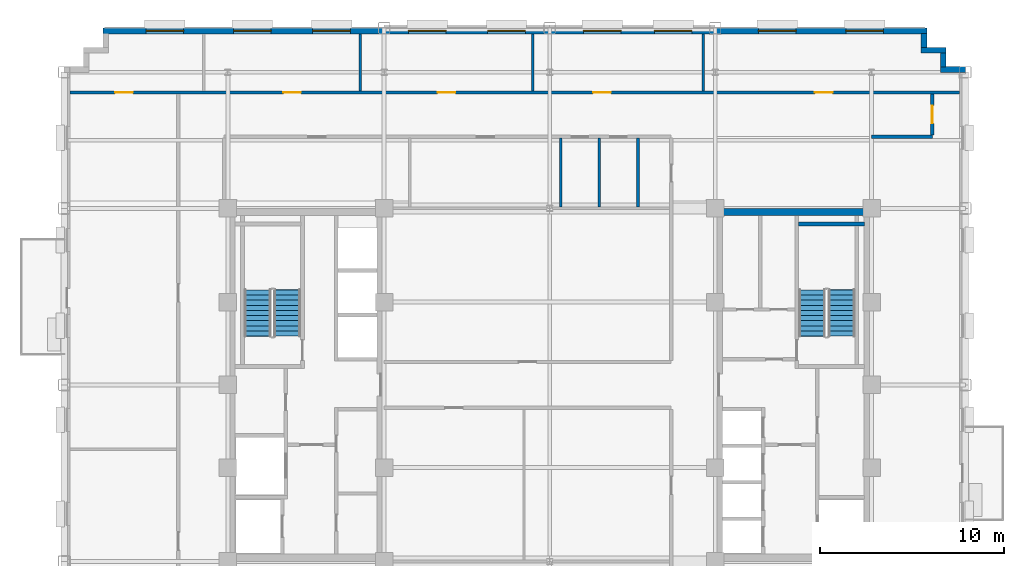
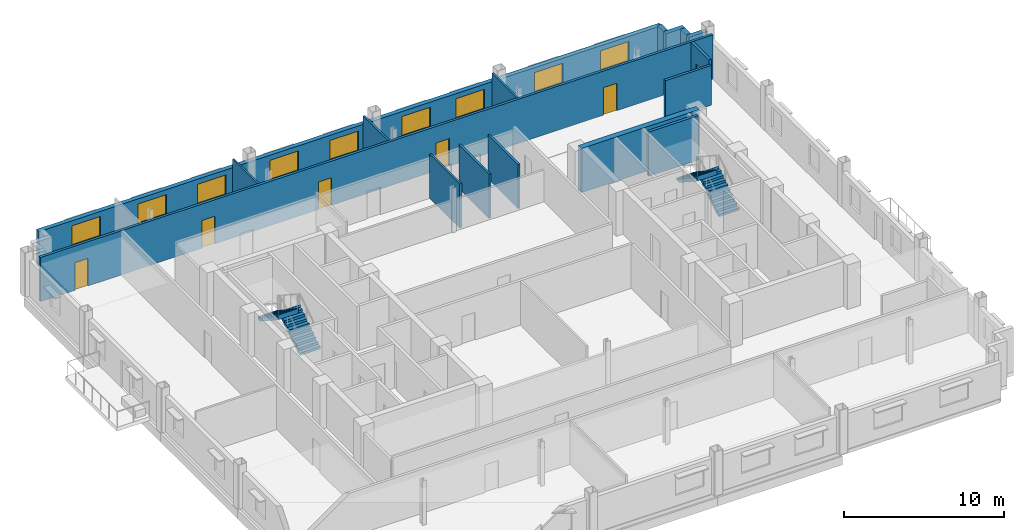
# One storey, part 10 of 14: 16 walls, 9 windows, 6 doors, 4 stair flights, 15 openings, 2 elements without a shape of their own.
"""IFC4 building model written with IfcOpenShell, lengths in metres."""

from ifc_helpers import new_model, si_unit, direction, frame, frame_2d, origin, place, context, subcontext, project, spatial, polyline, rectangle, outline, extrude, source, transform, mapped, material, layer, layer_set, type_object, type_shapes, element, fill, aggregate, save


model = new_model("IFC4")

# Units and contexts
model_context = context("Model", 3, precision=1e-05, world=origin(), true_north=direction((0.0, 1.0)))
body_context = subcontext(model_context, "Body", "Model", "MODEL_VIEW")
ifc_project = project(units=[si_unit("LENGTHUNIT", "METRE"), si_unit("AREAUNIT", "SQUARE_METRE"), si_unit("VOLUMEUNIT", "CUBIC_METRE"), si_unit("PLANEANGLEUNIT", "RADIAN"), si_unit("MASSUNIT", "GRAM", prefix="KILO")], contexts=[model_context])

# Site, building, storey
site_placement = place(None, origin())
site = spatial("IfcSite", under=ifc_project, at=site_placement, CompositionType="ELEMENT")
building_placement = place(site_placement, origin())
building = spatial("IfcBuilding", under=site, at=building_placement, Name="Nuvemarco Arch Tower", CompositionType="ELEMENT")
storey_placement = place(building_placement, frame((0.0, 0.0, 174.949951171875)))
storey = spatial("IfcBuildingStorey", under=building, at=storey_placement, Name="L46", CompositionType="ELEMENT", Elevation=174.949951171875)

# Walls
ifc_material_1 = material(Name="Precast concrete C45/55", Category="concrete")
ifc_layer_1 = layer(ifc_material_1, 0.31005859375, Name="EW-UPP-310")
ifc_layer_set_1 = layer_set([ifc_layer_1], Name="Precast concrete C45/55")
wall_type_1 = type_object("IfcWallType", Name="EW-UPP-310", PredefinedType="STANDARD", material=ifc_layer_set_1)
wall_1_placement = place(storey_placement, frame((21.239990234375, 17.14501953125, 0.0), z_axis=(0.0, 0.0, 1.0), x_axis=(1.0, 0.0, 0.0)))
element("IfcWall", 1, at=wall_1_placement, inside=storey, type_object=wall_type_1, Name="L46 exterior precast facade wall 7", PredefinedType="STANDARD", context=body_context, shape_type="SweptSolid", body=[
    extrude(rectangle(XDim=1.360107421875, YDim=0.31005859375, at=frame_2d((0.68017578125, 0.0))), origin(), (0.0, 0.0, 1.0), 2.816162109375),
])
wall_2_placement = place(storey_placement, frame((21.39501953125, 17.2958984375, 0.0), z_axis=(0.0, 0.0, 1.0), x_axis=(0.0, 1.0, 0.0)))
element("IfcWall", 2, at=wall_2_placement, inside=storey, type_object=wall_type_1, Name="L46 exterior precast facade wall 8", PredefinedType="STANDARD", context=body_context, shape_type="SweptSolid", body=[
    extrude(rectangle(XDim=0.748046875, YDim=0.31005859375, at=frame_2d((0.3740234375, 0.0))), origin(), (0.0, 0.0, 1.0), 2.816162109375),
])
wall_3_placement = place(storey_placement, frame((20.18994140625, 18.195068359375, 0.0), z_axis=(0.0, 0.0, 1.0), x_axis=(1.0, 0.0, 0.0)))
element("IfcWall", 3, at=wall_3_placement, inside=storey, type_object=wall_type_1, Name="L46 exterior precast facade wall 9", PredefinedType="STANDARD", context=body_context, shape_type="SweptSolid", body=[
    extrude(rectangle(XDim=1.360107421875, YDim=0.31005859375, at=frame_2d((0.68017578125, 0.0))), origin(), (0.0, 0.0, 1.0), 2.816162109375),
])
wall_4_placement = place(storey_placement, frame((20.344970703125, 18.345947265625, 0.0), z_axis=(0.0, 0.0, 1.0), x_axis=(0.0, 1.0, 0.0)))
element("IfcWall", 4, at=wall_4_placement, inside=storey, type_object=wall_type_1, Name="L46 exterior precast facade wall 10", PredefinedType="STANDARD", context=body_context, shape_type="SweptSolid", body=[
    extrude(rectangle(XDim=0.748046875, YDim=0.31005859375, at=frame_2d((0.3740234375, 0.0))), origin(), (0.0, 0.0, 1.0), 2.816162109375),
])

# Wall, openings, windows
wall_5_placement = place(storey_placement, frame((-24.300048828125, 19.2451171875, 0.0), z_axis=(0.0, 0.0, 1.0), x_axis=(1.0, 0.0, 0.0)))
wall_5 = element("IfcWall", 5, at=wall_5_placement, inside=storey, type_object=wall_type_1, Name="L46 exterior precast facade wall 11", PredefinedType="STANDARD", context=body_context, shape_type="SweptSolid", body=[
    extrude(rectangle(XDim=44.800048828125, YDim=0.31005859375, at=frame_2d((22.39990234375, 0.0))), origin(), (0.0, 0.0, 1.0), 2.705078125),
])
opening_1_placement = place(wall_5_placement, frame((2.352783203125, 0.0, 0.800048828125)))
opening_1 = element("IfcOpeningElement", 6, at=opening_1_placement, cuts=wall_5, Name="Opening WN-12", PredefinedType="OPENING", context=body_context, shape_type="SweptSolid", body=[
    extrude(rectangle(XDim=2.050048828125, YDim=1.52001953125, at=frame_2d((1.02490234375, 0.760009765625))), frame((0.0, 0.1650390625, 0.0), z_axis=(0.0, -1.0, 0.0), x_axis=(1.0, 0.0, 0.0)), (0.0, 0.0, 1.0), 0.330078125),
])
opening_2_placement = place(wall_5_placement, frame((7.1083984375, 0.0, 0.800048828125)))
opening_2 = element("IfcOpeningElement", 7, at=opening_2_placement, cuts=wall_5, Name="Opening WN-12", PredefinedType="OPENING", context=body_context, shape_type="SweptSolid", body=[
    extrude(rectangle(XDim=2.050048828125, YDim=1.52001953125, at=frame_2d((1.02490234375, 0.760009765625))), frame((0.0, 0.1650390625, 0.0), z_axis=(0.0, -1.0, 0.0), x_axis=(1.0, 0.0, 0.0)), (0.0, 0.0, 1.0), 0.330078125),
])
opening_3_placement = place(wall_5_placement, frame((11.413818359375, 0.0, 0.800048828125)))
opening_3 = element("IfcOpeningElement", 8, at=opening_3_placement, cuts=wall_5, Name="Opening WN-12", PredefinedType="OPENING", context=body_context, shape_type="SweptSolid", body=[
    extrude(rectangle(XDim=2.050048828125, YDim=1.52001953125, at=frame_2d((1.02490234375, 0.760009765625))), frame((0.0, 0.1650390625, 0.0), z_axis=(0.0, -1.0, 0.0), x_axis=(1.0, 0.0, 0.0)), (0.0, 0.0, 1.0), 0.330078125),
])
opening_4_placement = place(wall_5_placement, frame((16.619384765625, 0.0, 0.800048828125)))
opening_4 = element("IfcOpeningElement", 9, at=opening_4_placement, cuts=wall_5, Name="Opening WN-12", PredefinedType="OPENING", context=body_context, shape_type="SweptSolid", body=[
    extrude(rectangle(XDim=2.050048828125, YDim=1.52001953125, at=frame_2d((1.02490234375, 0.760009765625))), frame((0.0, 0.1650390625, 0.0), z_axis=(0.0, -1.0, 0.0), x_axis=(1.0, 0.0, 0.0)), (0.0, 0.0, 1.0), 0.330078125),
])
opening_5_placement = place(wall_5_placement, frame((20.925048828125, 0.0, 0.800048828125)))
opening_5 = element("IfcOpeningElement", 10, at=opening_5_placement, cuts=wall_5, Name="Opening WN-12", PredefinedType="OPENING", context=body_context, shape_type="SweptSolid", body=[
    extrude(rectangle(XDim=2.050048828125, YDim=1.52001953125, at=frame_2d((1.02490234375, 0.760009765625))), frame((0.0, 0.1650390625, 0.0), z_axis=(0.0, -1.0, 0.0), x_axis=(1.0, 0.0, 0.0)), (0.0, 0.0, 1.0), 0.330078125),
])
opening_6_placement = place(wall_5_placement, frame((26.130615234375, 0.0, 0.800048828125)))
opening_6 = element("IfcOpeningElement", 11, at=opening_6_placement, cuts=wall_5, Name="Opening WN-12", PredefinedType="OPENING", context=body_context, shape_type="SweptSolid", body=[
    extrude(rectangle(XDim=2.050048828125, YDim=1.52001953125, at=frame_2d((1.02490234375, 0.760009765625))), frame((0.0, 0.1650390625, 0.0), z_axis=(0.0, -1.0, 0.0), x_axis=(1.0, 0.0, 0.0)), (0.0, 0.0, 1.0), 0.330078125),
])
opening_7_placement = place(wall_5_placement, frame((29.986083984375, 0.0, 0.800048828125)))
opening_7 = element("IfcOpeningElement", 12, at=opening_7_placement, cuts=wall_5, Name="Opening WN-12", PredefinedType="OPENING", context=body_context, shape_type="SweptSolid", body=[
    extrude(rectangle(XDim=2.050048828125, YDim=1.52001953125, at=frame_2d((1.02490234375, 0.760009765625))), frame((0.0, 0.1650390625, 0.0), z_axis=(0.0, -1.0, 0.0), x_axis=(1.0, 0.0, 0.0)), (0.0, 0.0, 1.0), 0.330078125),
])
opening_8_placement = place(wall_5_placement, frame((35.6416015625, 0.0, 0.800048828125)))
opening_8 = element("IfcOpeningElement", 13, at=opening_8_placement, cuts=wall_5, Name="Opening WN-12", PredefinedType="OPENING", context=body_context, shape_type="SweptSolid", body=[
    extrude(rectangle(XDim=2.050048828125, YDim=1.52001953125, at=frame_2d((1.02490234375, 0.760009765625))), frame((0.0, 0.1650390625, 0.0), z_axis=(0.0, -1.0, 0.0), x_axis=(1.0, 0.0, 0.0)), (0.0, 0.0, 1.0), 0.330078125),
])
opening_9_placement = place(wall_5_placement, frame((40.397216796875, 0.0, 0.800048828125)))
opening_9 = element("IfcOpeningElement", 14, at=opening_9_placement, cuts=wall_5, Name="Opening WN-12", PredefinedType="OPENING", context=body_context, shape_type="SweptSolid", body=[
    extrude(rectangle(XDim=2.050048828125, YDim=1.52001953125, at=frame_2d((1.02490234375, 0.760009765625))), frame((0.0, 0.1650390625, 0.0), z_axis=(0.0, -1.0, 0.0), x_axis=(1.0, 0.0, 0.0)), (0.0, 0.0, 1.0), 0.330078125),
])
ifc_material_2 = material(Name="Insulated solar-control glass", Category="glass")
window_type = type_object("IfcWindowType", Name="WN-SET-2050x1520", PartitioningType="DOUBLE_PANEL_VERTICAL", PredefinedType="WINDOW", material=ifc_material_2)
shared_shape_1 = source(origin(), body_context, "Body", "SweptSolid", [
    extrude(rectangle(XDim=2.050048828125, YDim=1.52001953125, at=frame_2d((1.02490234375, 0.760009765625))), frame((0.0, 0.030029296875, 0.0), z_axis=(0.0, -1.0, 0.0), x_axis=(1.0, 0.0, 0.0)), (0.0, 0.0, 1.0), 0.06005859375),
])
type_shapes(window_type, [shared_shape_1])
window_1_placement = place(opening_1_placement, origin())
window_1 = element("IfcWindow", 15, at=window_1_placement, inside=storey, type_object=window_type, Name="L46 punched facade window 1", OverallHeight=1.52001953125, OverallWidth=2.050048828125, PartitioningType="SINGLE_PANEL", PredefinedType="WINDOW", context=body_context, shape_type="MappedRepresentation", body=[
    mapped(shared_shape_1, transform((0.0, 0.0, 0.0), scale=1.0)),
])
fill(opening_1, window_1)
window_2_placement = place(opening_2_placement, origin())
window_2 = element("IfcWindow", 16, at=window_2_placement, inside=storey, type_object=window_type, Name="L46 punched facade window 2", OverallHeight=1.52001953125, OverallWidth=2.050048828125, PartitioningType="SINGLE_PANEL", PredefinedType="WINDOW", context=body_context, shape_type="MappedRepresentation", body=[
    mapped(shared_shape_1, transform((0.0, 0.0, 0.0), scale=1.0)),
])
fill(opening_2, window_2)
window_3_placement = place(opening_3_placement, origin())
window_3 = element("IfcWindow", 17, at=window_3_placement, inside=storey, type_object=window_type, Name="L46 punched facade window 3", OverallHeight=1.52001953125, OverallWidth=2.050048828125, PartitioningType="SINGLE_PANEL", PredefinedType="WINDOW", context=body_context, shape_type="MappedRepresentation", body=[
    mapped(shared_shape_1, transform((0.0, 0.0, 0.0), scale=1.0)),
])
fill(opening_3, window_3)
window_4_placement = place(opening_4_placement, origin())
window_4 = element("IfcWindow", 18, at=window_4_placement, inside=storey, type_object=window_type, Name="L46 punched facade window 4", OverallHeight=1.52001953125, OverallWidth=2.050048828125, PartitioningType="SINGLE_PANEL", PredefinedType="WINDOW", context=body_context, shape_type="MappedRepresentation", body=[
    mapped(shared_shape_1, transform((0.0, 0.0, 0.0), scale=1.0)),
])
fill(opening_4, window_4)
window_5_placement = place(opening_5_placement, origin())
window_5 = element("IfcWindow", 19, at=window_5_placement, inside=storey, type_object=window_type, Name="L46 punched facade window 5", OverallHeight=1.52001953125, OverallWidth=2.050048828125, PartitioningType="SINGLE_PANEL", PredefinedType="WINDOW", context=body_context, shape_type="MappedRepresentation", body=[
    mapped(shared_shape_1, transform((0.0, 0.0, 0.0), scale=1.0)),
])
fill(opening_5, window_5)
window_6_placement = place(opening_6_placement, origin())
window_6 = element("IfcWindow", 20, at=window_6_placement, inside=storey, type_object=window_type, Name="L46 punched facade window 6", OverallHeight=1.52001953125, OverallWidth=2.050048828125, PartitioningType="SINGLE_PANEL", PredefinedType="WINDOW", context=body_context, shape_type="MappedRepresentation", body=[
    mapped(shared_shape_1, transform((0.0, 0.0, 0.0), scale=1.0)),
])
fill(opening_6, window_6)
window_7_placement = place(opening_7_placement, origin())
window_7 = element("IfcWindow", 21, at=window_7_placement, inside=storey, type_object=window_type, Name="L46 punched facade window 7", OverallHeight=1.52001953125, OverallWidth=2.050048828125, PartitioningType="SINGLE_PANEL", PredefinedType="WINDOW", context=body_context, shape_type="MappedRepresentation", body=[
    mapped(shared_shape_1, transform((0.0, 0.0, 0.0), scale=1.0)),
])
fill(opening_7, window_7)
window_8_placement = place(opening_8_placement, origin())
window_8 = element("IfcWindow", 22, at=window_8_placement, inside=storey, type_object=window_type, Name="L46 punched facade window 8", OverallHeight=1.52001953125, OverallWidth=2.050048828125, PartitioningType="SINGLE_PANEL", PredefinedType="WINDOW", context=body_context, shape_type="MappedRepresentation", body=[
    mapped(shared_shape_1, transform((0.0, 0.0, 0.0), scale=1.0)),
])
fill(opening_8, window_8)
window_9_placement = place(opening_9_placement, origin())
window_9 = element("IfcWindow", 23, at=window_9_placement, inside=storey, type_object=window_type, Name="L46 punched facade window 9", OverallHeight=1.52001953125, OverallWidth=2.050048828125, PartitioningType="SINGLE_PANEL", PredefinedType="WINDOW", context=body_context, shape_type="MappedRepresentation", body=[
    mapped(shared_shape_1, transform((0.0, 0.0, 0.0), scale=1.0)),
])
fill(opening_9, window_9)

# Walls
ifc_material_3 = material(Name="Concrete C60/75", Category="concrete")
ifc_layer_2 = layer(ifc_material_3, 0.39990234375, Name="WL-CORE-400")
ifc_layer_set_2 = layer_set([ifc_layer_2], Name="Concrete C60/75")
wall_type_2 = type_object("IfcWallType", Name="WL-CORE-400", PredefinedType="SHEAR", material=ifc_layer_set_2)
wall_6_placement = place(storey_placement, frame((9.0, 9.39990234375, 0.0), z_axis=(0.0, 0.0, 1.0), x_axis=(1.0, 0.0, 0.0)))
element("IfcWall", 24, at=wall_6_placement, inside=storey, type_object=wall_type_2, Name="L46 E-core shear wall N", PredefinedType="SHEAR", context=body_context, shape_type="SweptSolid", body=[
    extrude(rectangle(XDim=8.5, YDim=0.39990234375, at=frame_2d((4.25, 0.0))), origin(), (0.0, 0.0, 1.0), 3.3701171875),
])
ifc_material_4 = material(Name="Fire-rated gypsum drywall partition")
ifc_layer_3 = layer(ifc_material_4, 0.179931640625, Name="WL-CORR-180")
ifc_layer_set_3 = layer_set([ifc_layer_3], Name="Fire-rated gypsum drywall partition")
wall_type_3 = type_object("IfcWallType", Name="WL-CORR-180", PredefinedType="PARTITIONING", material=ifc_layer_set_3)
wall_7_placement = place(storey_placement, frame((17.5, 13.5, 0.0), z_axis=(0.0, 0.0, 1.0), x_axis=(1.0, 0.0, 0.0)))
element("IfcWall", 25, at=wall_7_placement, inside=storey, type_object=wall_type_3, Name="L46 interior wall IW-L46-012", PredefinedType="PARTITIONING", context=body_context, shape_type="SweptSolid", body=[
    extrude(rectangle(XDim=3.300048828125, YDim=0.179931640625, at=frame_2d((1.64990234375, 0.0))), origin(), (0.0, 0.0, 1.0), 3.008056640625),
])

# Wall, openings, doors
wall_8_placement = place(storey_placement, frame((-26.090087890625, 15.89990234375, 0.0), z_axis=(0.0, 0.0, 1.0), x_axis=(1.0, 0.0, 0.0)))
wall_8 = element("IfcWall", 26, at=wall_8_placement, inside=storey, type_object=wall_type_3, Name="L46 interior wall IW-L46-013", PredefinedType="PARTITIONING", context=body_context, shape_type="SweptSolid", body=[
    extrude(rectangle(XDim=48.380126953125, YDim=0.179931640625, at=frame_2d((24.18994140625, 0.0))), origin(), (0.0, 0.0, 1.0), 3.360107421875),
])
opening_10_placement = place(wall_8_placement, frame((40.510009765625, 0.0, 0.0)))
opening_10 = element("IfcOpeningElement", 27, at=opening_10_placement, cuts=wall_8, Name="Opening FD-5", PredefinedType="OPENING", context=body_context, shape_type="SweptSolid", body=[
    extrude(rectangle(XDim=0.9599609375, YDim=2.10009765625, at=frame_2d((0.47998046875, 1.050048828125))), frame((0.0, 0.099853515625, 0.0), z_axis=(0.0, -1.0, 0.0), x_axis=(1.0, 0.0, 0.0)), (0.0, 0.0, 1.0), 0.199951171875),
])
opening_11_placement = place(wall_8_placement, frame((19.9951171875, 0.0, 0.0)))
opening_11 = element("IfcOpeningElement", 28, at=opening_11_placement, cuts=wall_8, Name="Opening FD-5", PredefinedType="OPENING", context=body_context, shape_type="SweptSolid", body=[
    extrude(rectangle(XDim=0.9599609375, YDim=2.10009765625, at=frame_2d((0.47998046875, 1.050048828125))), frame((0.0, 0.099853515625, 0.0), z_axis=(0.0, -1.0, 0.0), x_axis=(1.0, 0.0, 0.0)), (0.0, 0.0, 1.0), 0.199951171875),
])
opening_12_placement = place(wall_8_placement, frame((28.449951171875, 0.0, 0.0)))
opening_12 = element("IfcOpeningElement", 29, at=opening_12_placement, cuts=wall_8, Name="Opening FD-5", PredefinedType="OPENING", context=body_context, shape_type="SweptSolid", body=[
    extrude(rectangle(XDim=0.9599609375, YDim=2.10009765625, at=frame_2d((0.47998046875, 1.050048828125))), frame((0.0, 0.099853515625, 0.0), z_axis=(0.0, -1.0, 0.0), x_axis=(1.0, 0.0, 0.0)), (0.0, 0.0, 1.0), 0.199951171875),
])
opening_13_placement = place(wall_8_placement, frame((11.60498046875, 0.0, 0.0)))
opening_13 = element("IfcOpeningElement", 30, at=opening_13_placement, cuts=wall_8, Name="Opening FD-5", PredefinedType="OPENING", context=body_context, shape_type="SweptSolid", body=[
    extrude(rectangle(XDim=0.9599609375, YDim=2.10009765625, at=frame_2d((0.47998046875, 1.050048828125))), frame((0.0, 0.099853515625, 0.0), z_axis=(0.0, -1.0, 0.0), x_axis=(1.0, 0.0, 0.0)), (0.0, 0.0, 1.0), 0.199951171875),
])
opening_14_placement = place(wall_8_placement, frame((2.465087890625, 0.0, 0.0)))
opening_14 = element("IfcOpeningElement", 31, at=opening_14_placement, cuts=wall_8, Name="Opening FD-5", PredefinedType="OPENING", context=body_context, shape_type="SweptSolid", body=[
    extrude(rectangle(XDim=0.9599609375, YDim=2.10009765625, at=frame_2d((0.47998046875, 1.050048828125))), frame((0.0, 0.099853515625, 0.0), z_axis=(0.0, -1.0, 0.0), x_axis=(1.0, 0.0, 0.0)), (0.0, 0.0, 1.0), 0.199951171875),
])
ifc_material_5 = material(Name="Timber fire door", Category="wood")
door_type = type_object("IfcDoorType", Name="DR-CORR-FD", OperationType="NOTDEFINED", PredefinedType="DOOR", material=ifc_material_5)
shared_shape_2 = source(origin(), body_context, "Body", "SweptSolid", [
    extrude(rectangle(XDim=0.9599609375, YDim=2.10009765625, at=frame_2d((0.47998046875, 1.050048828125))), frame((0.0, 0.02490234375, 0.0), z_axis=(0.0, -1.0, 0.0), x_axis=(1.0, 0.0, 0.0)), (0.0, 0.0, 1.0), 0.050048828125),
])
type_shapes(door_type, [shared_shape_2])
door_1_placement = place(opening_10_placement, origin())
door_1 = element("IfcDoor", 32, at=door_1_placement, inside=storey, type_object=door_type, Name="L46 door DR-L46-N_5", OperationType="SINGLE_SWING_LEFT", OverallHeight=2.10009765625, OverallWidth=0.9599609375, PredefinedType="DOOR", context=body_context, shape_type="MappedRepresentation", body=[
    mapped(shared_shape_2, transform((0.0, 0.0, 0.0), scale=1.0)),
])
fill(opening_10, door_1)
door_2_placement = place(opening_11_placement, origin())
door_2 = element("IfcDoor", 33, at=door_2_placement, inside=storey, type_object=door_type, Name="L46 door DR-L46-N_3", OperationType="SINGLE_SWING_RIGHT", OverallHeight=2.10009765625, OverallWidth=0.9599609375, PredefinedType="DOOR", context=body_context, shape_type="MappedRepresentation", body=[
    mapped(shared_shape_2, transform((0.0, 0.0, 0.0), scale=1.0)),
])
fill(opening_11, door_2)
door_3_placement = place(opening_12_placement, origin())
door_3 = element("IfcDoor", 34, at=door_3_placement, inside=storey, type_object=door_type, Name="L46 door DR-L46-N_4", OperationType="SINGLE_SWING_RIGHT", OverallHeight=2.10009765625, OverallWidth=0.9599609375, PredefinedType="DOOR", context=body_context, shape_type="MappedRepresentation", body=[
    mapped(shared_shape_2, transform((0.0, 0.0, 0.0), scale=1.0)),
])
fill(opening_12, door_3)
door_4_placement = place(opening_13_placement, origin())
door_4 = element("IfcDoor", 35, at=door_4_placement, inside=storey, type_object=door_type, Name="L46 door DR-L46-N_2", OperationType="SINGLE_SWING_LEFT", OverallHeight=2.10009765625, OverallWidth=0.9599609375, PredefinedType="DOOR", context=body_context, shape_type="MappedRepresentation", body=[
    mapped(shared_shape_2, transform((0.0, 0.0, 0.0), scale=1.0)),
])
fill(opening_13, door_4)
door_5_placement = place(opening_14_placement, origin())
door_5 = element("IfcDoor", 36, at=door_5_placement, inside=storey, type_object=door_type, Name="L46 door DR-L46-N_1", OperationType="SINGLE_SWING_RIGHT", OverallHeight=2.10009765625, OverallWidth=0.9599609375, PredefinedType="DOOR", context=body_context, shape_type="MappedRepresentation", body=[
    mapped(shared_shape_2, transform((0.0, 0.0, 0.0), scale=1.0)),
])
fill(opening_14, door_5)

# Wall, opening, door
wall_9_placement = place(storey_placement, frame((20.800048828125, 13.5859375, 0.0), z_axis=(0.0, 0.0, 1.0), x_axis=(0.0, 1.0, 0.0)))
wall_9 = element("IfcWall", 37, at=wall_9_placement, inside=storey, type_object=wall_type_3, Name="L46 interior wall IW-L46-031", PredefinedType="PARTITIONING", context=body_context, shape_type="SweptSolid", body=[
    extrude(rectangle(XDim=2.22802734375, YDim=0.179931640625, at=frame_2d((1.114013671875, 0.0))), origin(), (0.0, 0.0, 1.0), 3.360107421875),
])
opening_15_placement = place(wall_9_placement, frame((0.634033203125, 0.0, 0.0)))
opening_15 = element("IfcOpeningElement", 38, at=opening_15_placement, cuts=wall_9, Name="Opening FD-5", PredefinedType="OPENING", context=body_context, shape_type="SweptSolid", body=[
    extrude(rectangle(XDim=0.9599609375, YDim=2.10009765625, at=frame_2d((0.47998046875, 1.050048828125))), frame((0.0, 0.099853515625, 0.0), z_axis=(0.0, -1.0, 0.0), x_axis=(1.0, 0.0, 0.0)), (0.0, 0.0, 1.0), 0.199951171875),
])
door_6_placement = place(opening_15_placement, origin())
door_6 = element("IfcDoor", 39, at=door_6_placement, inside=storey, type_object=door_type, Name="L46 door DR-L46-E_1", OperationType="SINGLE_SWING_LEFT", OverallHeight=2.10009765625, OverallWidth=0.9599609375, PredefinedType="DOOR", context=body_context, shape_type="MappedRepresentation", body=[
    mapped(shared_shape_2, transform((0.0, 0.0, 0.0), scale=1.0)),
])
fill(opening_15, door_6)

# Walls
ifc_material_6 = material(Name="Glazed acoustic office partition")
ifc_layer_4 = layer(ifc_material_6, 0.1298828125, Name="WL-EXEC-130")
ifc_layer_set_4 = layer_set([ifc_layer_4], Name="Glazed acoustic office partition")
wall_type_4 = type_object("IfcWallType", Name="WL-EXEC-130", PredefinedType="PARTITIONING", material=ifc_layer_set_4)
for number, where, z_axis, x_axis, name in (
    (40, (-10.31005859375, 15.986083984375, 0.0), (0.0, 0.0, 1.0), (0.0, 1.0, 0.0), "L46 interior wall IW-L46-018"),
    (41, (-0.919921875, 15.986083984375, 0.0), (0.0, 0.0, 1.0), (0.0, 1.0, 0.0), "L46 interior wall IW-L46-022"),
    (42, (8.35009765625, 15.986083984375, 0.0), (0.0, 0.0, 1.0), (0.0, 1.0, 0.0), "L46 interior wall IW-L46-029"),
):
    element("IfcWall", number, at=place(storey_placement, frame(where, z_axis=z_axis, x_axis=x_axis)), inside=storey, type_object=wall_type_4, Name=name, PredefinedType="PARTITIONING", context=body_context, shape_type="SweptSolid", body=[
        extrude(rectangle(XDim=3.10400390625, YDim=0.1298828125, at=frame_2d((1.552001953125, 0.0))), origin(), (0.0, 0.0, 1.0), 3.360107421875),
    ])
ifc_material_7 = material(Name="Concrete C50/60", Category="concrete")
ifc_layer_5 = layer(ifc_material_7, 0.199951171875, Name="WL-SHAFT-220")
ifc_layer_set_5 = layer_set([ifc_layer_5], Name="Concrete C50/60")
wall_type_5 = type_object("IfcWallType", Name="WL-SHAFT-220", PredefinedType="SHEAR", material=ifc_layer_set_5)
wall_10_placement = place(storey_placement, frame((13.534912109375, 8.75, 0.0), z_axis=(0.0, 0.0, 1.0), x_axis=(1.0, 0.0, 0.0)))
element("IfcWall", 43, at=wall_10_placement, inside=storey, type_object=wall_type_5, Name="L46 structural shaft wall SW-L46-E-ST2N", PredefinedType="SHEAR", context=body_context, shape_type="SweptSolid", body=[
    extrude(rectangle(XDim=3.570068359375, YDim=0.199951171875, at=frame_2d((1.78515625, 0.0))), origin(), (0.0, 0.0, 1.0), 3.3701171875),
])
ifc_material_8 = material(Name="Moisture-resistant gypsum partition")
ifc_layer_6 = layer(ifc_material_8, 0.14990234375, Name="WL-WET-150")
ifc_layer_set_6 = layer_set([ifc_layer_6], Name="Moisture-resistant gypsum partition")
wall_type_6 = type_object("IfcWallType", Name="WL-WET-150", PredefinedType="PARTITIONING", material=ifc_layer_set_6)
for number, where, z_axis, x_axis, name in (
    (44, (0.60009765625, 9.6708984375, 0.0), (0.0, 0.0, 1.0), (0.0, 1.0, 0.0), "L46 interior wall IW-L46-023"),
    (45, (2.699951171875, 9.6708984375, 0.0), (0.0, 0.0, 1.0), (0.0, 1.0, 0.0), "L46 interior wall IW-L46-024"),
    (46, (4.800048828125, 9.6708984375, 0.0), (0.0, 0.0, 1.0), (0.0, 1.0, 0.0), "L46 interior wall IW-L46-025"),
):
    element("IfcWall", number, at=place(storey_placement, frame(where, z_axis=z_axis, x_axis=x_axis)), inside=storey, type_object=wall_type_6, Name=name, PredefinedType="PARTITIONING", context=body_context, shape_type="SweptSolid", body=[
        extrude(rectangle(XDim=3.7431640625, YDim=0.14990234375, at=frame_2d((1.87158203125, 0.0))), origin(), (0.0, 0.0, 1.0), 3.360107421875),
    ])

# Stair, stair flights
stair_type = type_object("IfcStairType", Name="ST-CORE-20R", PredefinedType="HALF_TURN_STAIR", material=ifc_material_1)
stair_1_placement = place(storey_placement, origin())
stair_1 = element("IfcStair", 47, at=stair_1_placement, inside=storey, type_object=stair_type, Name="L46 Protected Exit Stair ST-1", PredefinedType="HALF_TURN_STAIR")
stair_flight_type = type_object("IfcStairFlightType", Name="SF-CORE-20R", PredefinedType="STRAIGHT", material=ifc_material_1)
stair_flight_1_placement = place(storey_placement, frame((-14.264892578125, 2.64990234375, 0.0), z_axis=(0.0, 0.0, 1.0), x_axis=(0.0, 1.0, 0.0)))
stair_flight_1 = element("IfcStairFlight", 48, at=stair_flight_1_placement, type_object=stair_flight_type, Name="ST-20R flight 1", NumberOfRisers=10, NumberOfTreads=9, PredefinedType="STRAIGHT", RiserHeight=0.1825, TreadLength=0.28, context=body_context, shape_type="SweptSolid", body=[
    extrude(outline(polyline([(0.0, 0.0), (0.0, 0.1826171875), (0.280029296875, 0.1826171875), (0.280029296875, 0.364990234375), (0.56005859375, 0.364990234375), (0.56005859375, 0.547607421875), (0.840087890625, 0.547607421875), (0.840087890625, 0.72998046875), (1.1201171875, 0.72998046875), (1.1201171875, 0.91259765625), (1.39990234375, 0.91259765625), (1.39990234375, 1.094970703125), (1.679931640625, 1.094970703125), (1.679931640625, 1.277587890625), (1.9599609375, 1.277587890625), (1.9599609375, 1.4599609375), (2.239990234375, 1.4599609375), (2.239990234375, 1.642578125), (2.52001953125, 1.642578125), (2.52001953125, 1.824951171875), (2.5400390625, 1.824951171875), (2.5400390625, 1.45166015625), (0.312744140625, 0.0), (0.0, 0.0)])), frame((0.0, 0.72509765625, 0.0), z_axis=(0.0, -1.0, 0.0), x_axis=(1.0, 0.0, 0.0)), (0.0, 0.0, 1.0), 1.449951171875),
])
stair_flight_2_placement = place(storey_placement, frame((-15.875, 5.169921875, 1.824951171875), z_axis=(0.0, 0.0, 1.0), x_axis=(0.0, -1.0, 0.0)))
stair_flight_2 = element("IfcStairFlight", 49, at=stair_flight_2_placement, type_object=stair_flight_type, Name="ST-20R flight 2", NumberOfRisers=10, NumberOfTreads=9, PredefinedType="STRAIGHT", RiserHeight=0.1825, TreadLength=0.28, context=body_context, shape_type="SweptSolid", body=[
    extrude(outline(polyline([(0.0, 0.0), (0.0, 0.1826171875), (0.280029296875, 0.1826171875), (0.280029296875, 0.364990234375), (0.56005859375, 0.364990234375), (0.56005859375, 0.547607421875), (0.840087890625, 0.547607421875), (0.840087890625, 0.72998046875), (1.1201171875, 0.72998046875), (1.1201171875, 0.91259765625), (1.39990234375, 0.91259765625), (1.39990234375, 1.094970703125), (1.679931640625, 1.094970703125), (1.679931640625, 1.277587890625), (1.9599609375, 1.277587890625), (1.9599609375, 1.4599609375), (2.239990234375, 1.4599609375), (2.239990234375, 1.642578125), (2.52001953125, 1.642578125), (2.52001953125, 1.824951171875), (2.5400390625, 1.824951171875), (2.5400390625, 1.45166015625), (0.312744140625, 0.0), (0.0, 0.0)])), frame((0.0, 0.72509765625, 0.0), z_axis=(0.0, -1.0, 0.0), x_axis=(1.0, 0.0, 0.0)), (0.0, 0.0, 1.0), 1.449951171875),
])
aggregate(stair_1, [stair_flight_1, stair_flight_2])

stair_2_placement = place(storey_placement, origin())
stair_2 = element("IfcStair", 50, at=stair_2_placement, inside=storey, type_object=stair_type, Name="L46 Protected Exit Stair ST-2", PredefinedType="HALF_TURN_STAIR")
stair_flight_3_placement = place(storey_placement, frame((15.875, 2.64990234375, 0.0), z_axis=(0.0, 0.0, 1.0), x_axis=(0.0, 1.0, 0.0)))
stair_flight_3 = element("IfcStairFlight", 51, at=stair_flight_3_placement, type_object=stair_flight_type, Name="ST-20R flight 1", NumberOfRisers=10, NumberOfTreads=9, PredefinedType="STRAIGHT", RiserHeight=0.1825, TreadLength=0.28, context=body_context, shape_type="SweptSolid", body=[
    extrude(outline(polyline([(0.0, 0.0), (0.0, 0.1826171875), (0.280029296875, 0.1826171875), (0.280029296875, 0.364990234375), (0.56005859375, 0.364990234375), (0.56005859375, 0.547607421875), (0.840087890625, 0.547607421875), (0.840087890625, 0.72998046875), (1.1201171875, 0.72998046875), (1.1201171875, 0.91259765625), (1.39990234375, 0.91259765625), (1.39990234375, 1.094970703125), (1.679931640625, 1.094970703125), (1.679931640625, 1.277587890625), (1.9599609375, 1.277587890625), (1.9599609375, 1.4599609375), (2.239990234375, 1.4599609375), (2.239990234375, 1.642578125), (2.52001953125, 1.642578125), (2.52001953125, 1.824951171875), (2.5400390625, 1.824951171875), (2.5400390625, 1.45166015625), (0.312744140625, 0.0), (0.0, 0.0)])), frame((0.0, 0.72509765625, 0.0), z_axis=(0.0, -1.0, 0.0), x_axis=(1.0, 0.0, 0.0)), (0.0, 0.0, 1.0), 1.449951171875),
])
stair_flight_4_placement = place(storey_placement, frame((14.264892578125, 5.169921875, 1.824951171875), z_axis=(0.0, 0.0, 1.0), x_axis=(0.0, -1.0, 0.0)))
stair_flight_4 = element("IfcStairFlight", 52, at=stair_flight_4_placement, type_object=stair_flight_type, Name="ST-20R flight 2", NumberOfRisers=10, NumberOfTreads=9, PredefinedType="STRAIGHT", RiserHeight=0.1825, TreadLength=0.28, context=body_context, shape_type="SweptSolid", body=[
    extrude(outline(polyline([(0.0, 0.0), (0.0, 0.1826171875), (0.280029296875, 0.1826171875), (0.280029296875, 0.364990234375), (0.56005859375, 0.364990234375), (0.56005859375, 0.547607421875), (0.840087890625, 0.547607421875), (0.840087890625, 0.72998046875), (1.1201171875, 0.72998046875), (1.1201171875, 0.91259765625), (1.39990234375, 0.91259765625), (1.39990234375, 1.094970703125), (1.679931640625, 1.094970703125), (1.679931640625, 1.277587890625), (1.9599609375, 1.277587890625), (1.9599609375, 1.4599609375), (2.239990234375, 1.4599609375), (2.239990234375, 1.642578125), (2.52001953125, 1.642578125), (2.52001953125, 1.824951171875), (2.5400390625, 1.824951171875), (2.5400390625, 1.45166015625), (0.312744140625, 0.0), (0.0, 0.0)])), frame((0.0, 0.72509765625, 0.0), z_axis=(0.0, -1.0, 0.0), x_axis=(1.0, 0.0, 0.0)), (0.0, 0.0, 1.0), 1.449951171875),
])
aggregate(stair_2, [stair_flight_3, stair_flight_4])

save(model, "model.ifc")
